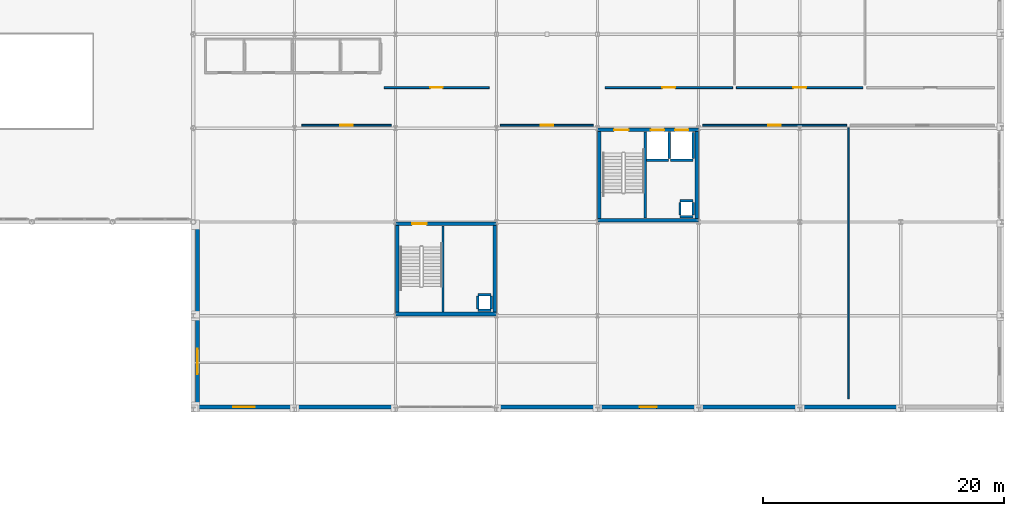
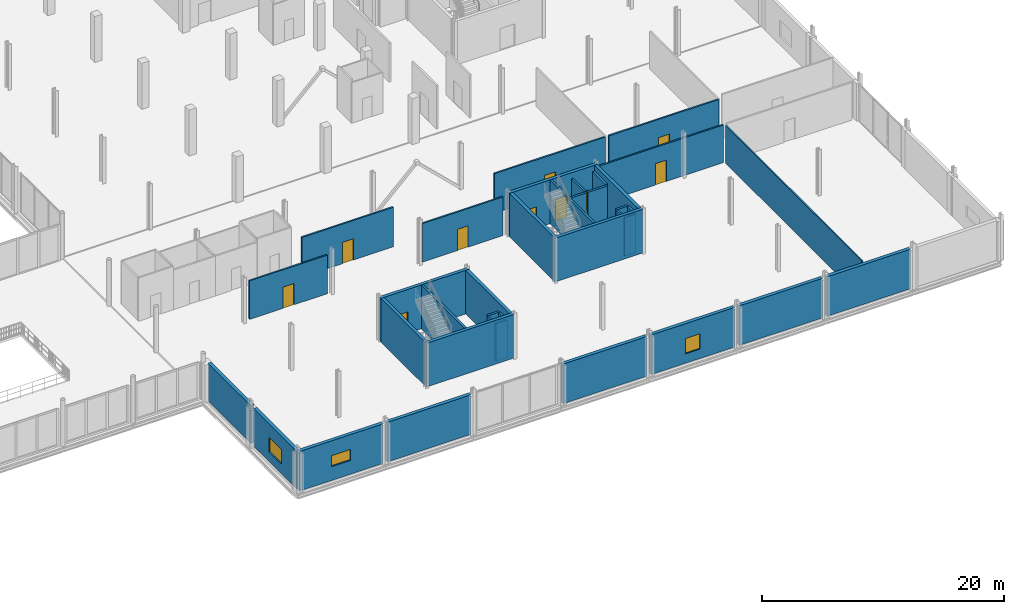
# One storey, part 72 of 98: 37 walls, 10 doors, 3 windows, 13 openings.
"""IFC4 building model written with IfcOpenShell, lengths in metres."""

from ifc_helpers import new_model, si_unit, direction, frame, frame_2d, origin, place, context, subcontext, project, spatial, rectangle, extrude, material, layer, layer_set, type_object, element, fill, save


model = new_model("IFC4")

# Units and contexts
model_context = context("Model", 3, precision=1e-05, world=origin(), true_north=direction((0.0, 1.0)))
body_context = subcontext(model_context, "Body", "Model", "MODEL_VIEW")
ifc_project = project(units=[si_unit("LENGTHUNIT", "METRE"), si_unit("AREAUNIT", "SQUARE_METRE"), si_unit("VOLUMEUNIT", "CUBIC_METRE"), si_unit("PLANEANGLEUNIT", "RADIAN"), si_unit("MASSUNIT", "GRAM", prefix="KILO")], contexts=[model_context])

# Site, building, storey
site_placement = place(None, origin())
site = spatial("IfcSite", under=ifc_project, at=site_placement, CompositionType="ELEMENT")
building_placement = place(site_placement, origin())
building = spatial("IfcBuilding", under=site, at=building_placement, Name="Nabrawat Pavilion Hospital", CompositionType="ELEMENT")
storey_placement = place(building_placement, frame((0.0, 0.0, 10.199951171875)))
storey = spatial("IfcBuildingStorey", under=building, at=storey_placement, Name="L02", CompositionType="ELEMENT", Elevation=10.199951171875)

# Wall, opening, door
ifc_material_1 = material(Name="Gypsum Fireboard on Steel Stud", Category="steel")
ifc_layer_1 = layer(ifc_material_1, 0.14990234375, Name="Gypsum Fireboard on Steel Stud")
ifc_layer_set_1 = layer_set([ifc_layer_1], Name="Gypsum Fireboard on Steel Stud")
wall_type_1 = type_object("IfcWallType", Name="Clinical Corridor Smoke-Barrier Wall 150", PredefinedType="PARTITIONING", material=ifc_layer_set_1)
wall_1_placement = place(storey_placement, frame((135.02001953125, 23.635009765625, 0.0), z_axis=(0.0, 0.0, 1.0), x_axis=(1.0, 0.0, 0.0)))
wall_1 = element("IfcWall", 1, at=wall_1_placement, inside=storey, type_object=wall_type_1, Name="L02 Outpatient Clinic Maxillofacial Dental Suite L02-01 Front Partition", PredefinedType="PARTITIONING", context=body_context, shape_type="SweptSolid", body=[
    extrude(rectangle(XDim=7.429931640625, YDim=0.14990234375, at=frame_2d((3.71484375, 0.0))), origin(), (0.0, 0.0, 1.0), 3.900146484375),
])
opening_1_placement = place(wall_1_placement, frame((3.18994140625, 0.0, 0.0)))
opening_1 = element("IfcOpeningElement", 2, at=opening_1_placement, cuts=wall_1, Name="Opening D-OPC-L", PredefinedType="OPENING", context=body_context, shape_type="SweptSolid", body=[
    extrude(rectangle(XDim=1.050048828125, YDim=2.14990234375, at=frame_2d((0.52490234375, 1.074951171875))), frame((0.0, 0.0849609375, 0.0), z_axis=(0.0, -1.0, 0.0), x_axis=(1.0, 0.0, 0.0)), (0.0, 0.0, 1.0), 0.169921875),
])
ifc_material_2 = material(Name="Stainless-Clad Acoustic Timber and Vision Glass", Category="wood")
door_type_1 = type_object("IfcDoorType", Name="Outpatient Clinic Consultation Door L 1050x2150", OperationType="NOTDEFINED", PredefinedType="DOOR", material=ifc_material_2)
door_1_placement = place(opening_1_placement, origin())
door_1 = element("IfcDoor", 3, at=door_1_placement, inside=storey, type_object=door_type_1, Name="Outpatient Clinic Maxillofacial Dental Suite L02-01 Door", OperationType="SINGLE_SWING_RIGHT", OverallHeight=2.14990234375, OverallWidth=1.050048828125, PredefinedType="DOOR", context=body_context, shape_type="SweptSolid", body=[
    extrude(rectangle(XDim=1.050048828125, YDim=2.14990234375, at=frame_2d((0.52490234375, 1.074951171875))), frame((0.0, 0.02490234375, 0.0), z_axis=(0.0, -1.0, 0.0), x_axis=(1.0, 0.0, 0.0)), (0.0, 0.0, 1.0), 0.050048828125),
])
fill(opening_1, door_1)

wall_2_placement = place(storey_placement, frame((151.52001953125, 23.635009765625, 0.0), z_axis=(0.0, 0.0, 1.0), x_axis=(1.0, 0.0, 0.0)))
wall_2 = element("IfcWall", 4, at=wall_2_placement, inside=storey, type_object=wall_type_1, Name="L02 Outpatient Clinic Rheumatology Room L02-02 Front Partition", PredefinedType="PARTITIONING", context=body_context, shape_type="SweptSolid", body=[
    extrude(rectangle(XDim=7.72998046875, YDim=0.14990234375, at=frame_2d((3.864990234375, 0.0))), origin(), (0.0, 0.0, 1.0), 3.900146484375),
])
opening_2_placement = place(wall_2_placement, frame((3.340087890625, 0.0, 0.0)))
opening_2 = element("IfcOpeningElement", 5, at=opening_2_placement, cuts=wall_2, Name="Opening D-OPC-R", PredefinedType="OPENING", context=body_context, shape_type="SweptSolid", body=[
    extrude(rectangle(XDim=1.050048828125, YDim=2.14990234375, at=frame_2d((0.52490234375, 1.074951171875))), frame((0.0, 0.0849609375, 0.0), z_axis=(0.0, -1.0, 0.0), x_axis=(1.0, 0.0, 0.0)), (0.0, 0.0, 1.0), 0.169921875),
])
door_type_2 = type_object("IfcDoorType", Name="Outpatient Clinic Consultation Door R 1050x2150", OperationType="NOTDEFINED", PredefinedType="DOOR", material=ifc_material_2)
door_2_placement = place(opening_2_placement, origin())
door_2 = element("IfcDoor", 6, at=door_2_placement, inside=storey, type_object=door_type_2, Name="Outpatient Clinic Rheumatology Room L02-02 Door", OperationType="SINGLE_SWING_LEFT", OverallHeight=2.14990234375, OverallWidth=1.050048828125, PredefinedType="DOOR", context=body_context, shape_type="SweptSolid", body=[
    extrude(rectangle(XDim=1.050048828125, YDim=2.14990234375, at=frame_2d((0.52490234375, 1.074951171875))), frame((0.0, 0.02490234375, 0.0), z_axis=(0.0, -1.0, 0.0), x_axis=(1.0, 0.0, 0.0)), (0.0, 0.0, 1.0), 0.050048828125),
])
fill(opening_2, door_2)

wall_3_placement = place(storey_placement, frame((168.320068359375, 23.635009765625, 0.0), z_axis=(0.0, 0.0, 1.0), x_axis=(1.0, 0.0, 0.0)))
wall_3 = element("IfcWall", 7, at=wall_3_placement, inside=storey, type_object=wall_type_1, Name="L02 Outpatient Clinic Endocrinology Diabetes Suite L02-03 Front Partition", PredefinedType="PARTITIONING", context=body_context, shape_type="SweptSolid", body=[
    extrude(rectangle(XDim=11.969970703125, YDim=0.14990234375, at=frame_2d((5.98486328125, 0.0))), origin(), (0.0, 0.0, 1.0), 3.800048828125),
])
opening_3_placement = place(wall_3_placement, frame((5.4599609375, 0.0, 0.0)))
opening_3 = element("IfcOpeningElement", 8, at=opening_3_placement, cuts=wall_3, Name="Opening D-OPC-L", PredefinedType="OPENING", context=body_context, shape_type="SweptSolid", body=[
    extrude(rectangle(XDim=1.050048828125, YDim=2.14990234375, at=frame_2d((0.52490234375, 1.074951171875))), frame((0.0, 0.0849609375, 0.0), z_axis=(0.0, -1.0, 0.0), x_axis=(1.0, 0.0, 0.0)), (0.0, 0.0, 1.0), 0.169921875),
])
door_3_placement = place(opening_3_placement, origin())
door_3 = element("IfcDoor", 9, at=door_3_placement, inside=storey, type_object=door_type_1, Name="Outpatient Clinic Endocrinology Diabetes Suite L02-03 Door", OperationType="SINGLE_SWING_RIGHT", OverallHeight=2.14990234375, OverallWidth=1.050048828125, PredefinedType="DOOR", context=body_context, shape_type="SweptSolid", body=[
    extrude(rectangle(XDim=1.050048828125, YDim=2.14990234375, at=frame_2d((0.52490234375, 1.074951171875))), frame((0.0, 0.02490234375, 0.0), z_axis=(0.0, -1.0, 0.0), x_axis=(1.0, 0.0, 0.0)), (0.0, 0.0, 1.0), 0.050048828125),
])
fill(opening_3, door_3)

wall_4_placement = place(storey_placement, frame((141.85009765625, 26.764892578125, 0.0), z_axis=(0.0, 0.0, 1.0), x_axis=(1.0, 0.0, 0.0)))
wall_4 = element("IfcWall", 10, at=wall_4_placement, inside=storey, type_object=wall_type_1, Name="L02 Clinical Nutrition Consultation Room L02-05 Front Partition", PredefinedType="PARTITIONING", context=body_context, shape_type="SweptSolid", body=[
    extrude(rectangle(XDim=8.72998046875, YDim=0.14990234375, at=frame_2d((4.364990234375, 0.0))), origin(), (0.0, 0.0, 1.0), 4.0),
])
opening_4_placement = place(wall_4_placement, frame((3.840087890625, 0.0, 0.0)))
opening_4 = element("IfcOpeningElement", 11, at=opening_4_placement, cuts=wall_4, Name="Opening D-OPC-L", PredefinedType="OPENING", context=body_context, shape_type="SweptSolid", body=[
    extrude(rectangle(XDim=1.050048828125, YDim=2.14990234375, at=frame_2d((0.52490234375, 1.074951171875))), frame((0.0, 0.0849609375, 0.0), z_axis=(0.0, -1.0, 0.0), x_axis=(1.0, 0.0, 0.0)), (0.0, 0.0, 1.0), 0.169921875),
])
door_4_placement = place(opening_4_placement, origin())
door_4 = element("IfcDoor", 12, at=door_4_placement, inside=storey, type_object=door_type_1, Name="Clinical Nutrition Consultation Room L02-05 Door", OperationType="SINGLE_SWING_RIGHT", OverallHeight=2.14990234375, OverallWidth=1.050048828125, PredefinedType="DOOR", context=body_context, shape_type="SweptSolid", body=[
    extrude(rectangle(XDim=1.050048828125, YDim=2.14990234375, at=frame_2d((0.52490234375, 1.074951171875))), frame((0.0, 0.02490234375, 0.0), z_axis=(0.0, -1.0, 0.0), x_axis=(1.0, 0.0, 0.0)), (0.0, 0.0, 1.0), 0.050048828125),
])
fill(opening_4, door_4)

wall_5_placement = place(storey_placement, frame((160.219970703125, 26.764892578125, 0.0), z_axis=(0.0, 0.0, 1.0), x_axis=(1.0, 0.0, 0.0)))
wall_5 = element("IfcWall", 13, at=wall_5_placement, inside=storey, type_object=wall_type_1, Name="L02 Outpatient Minor Procedure Room L02-06 Front Partition", PredefinedType="PARTITIONING", context=body_context, shape_type="SweptSolid", body=[
    extrude(rectangle(XDim=10.60009765625, YDim=0.14990234375, at=frame_2d((5.300048828125, 0.0))), origin(), (0.0, 0.0, 1.0), 4.0),
])
opening_5_placement = place(wall_5_placement, frame((4.77490234375, 0.0, 0.0)))
opening_5 = element("IfcOpeningElement", 14, at=opening_5_placement, cuts=wall_5, Name="Opening D-OPC-R", PredefinedType="OPENING", context=body_context, shape_type="SweptSolid", body=[
    extrude(rectangle(XDim=1.050048828125, YDim=2.14990234375, at=frame_2d((0.52490234375, 1.074951171875))), frame((0.0, 0.0849609375, 0.0), z_axis=(0.0, -1.0, 0.0), x_axis=(1.0, 0.0, 0.0)), (0.0, 0.0, 1.0), 0.169921875),
])
door_5_placement = place(opening_5_placement, origin())
door_5 = element("IfcDoor", 15, at=door_5_placement, inside=storey, type_object=door_type_2, Name="Outpatient Minor Procedure Room L02-06 Door", OperationType="SINGLE_SWING_LEFT", OverallHeight=2.14990234375, OverallWidth=1.050048828125, PredefinedType="DOOR", context=body_context, shape_type="SweptSolid", body=[
    extrude(rectangle(XDim=1.050048828125, YDim=2.14990234375, at=frame_2d((0.52490234375, 1.074951171875))), frame((0.0, 0.02490234375, 0.0), z_axis=(0.0, -1.0, 0.0), x_axis=(1.0, 0.0, 0.0)), (0.0, 0.0, 1.0), 0.050048828125),
])
fill(opening_5, door_5)

wall_6_placement = place(storey_placement, frame((171.139892578125, 26.764892578125, 0.0), z_axis=(0.0, 0.0, 1.0), x_axis=(1.0, 0.0, 0.0)))
wall_6 = element("IfcWall", 16, at=wall_6_placement, inside=storey, type_object=wall_type_1, Name="L02 Outpatient Clinic Maxillofacial Dental Suite L02-07 Front Partition", PredefinedType="PARTITIONING", context=body_context, shape_type="SweptSolid", body=[
    extrude(rectangle(XDim=10.52001953125, YDim=0.14990234375, at=frame_2d((5.260009765625, 0.0))), origin(), (0.0, 0.0, 1.0), 4.0),
])
opening_6_placement = place(wall_6_placement, frame((4.735107421875, 0.0, 0.0)))
opening_6 = element("IfcOpeningElement", 17, at=opening_6_placement, cuts=wall_6, Name="Opening D-OPC-L", PredefinedType="OPENING", context=body_context, shape_type="SweptSolid", body=[
    extrude(rectangle(XDim=1.050048828125, YDim=2.14990234375, at=frame_2d((0.52490234375, 1.074951171875))), frame((0.0, 0.0849609375, 0.0), z_axis=(0.0, -1.0, 0.0), x_axis=(1.0, 0.0, 0.0)), (0.0, 0.0, 1.0), 0.169921875),
])
door_6_placement = place(opening_6_placement, origin())
door_6 = element("IfcDoor", 18, at=door_6_placement, inside=storey, type_object=door_type_1, Name="Outpatient Clinic Maxillofacial Dental Suite L02-07 Door", OperationType="SINGLE_SWING_RIGHT", OverallHeight=2.14990234375, OverallWidth=1.050048828125, PredefinedType="DOOR", context=body_context, shape_type="SweptSolid", body=[
    extrude(rectangle(XDim=1.050048828125, YDim=2.14990234375, at=frame_2d((0.52490234375, 1.074951171875))), frame((0.0, 0.02490234375, 0.0), z_axis=(0.0, -1.0, 0.0), x_axis=(1.0, 0.0, 0.0)), (0.0, 0.0, 1.0), 0.050048828125),
])
fill(opening_6, door_6)

# Wall, opening, window
ifc_material_3 = material(Name="Precast concrete C40/50", Category="concrete")
ifc_layer_2 = layer(ifc_material_3, 0.320068359375, Name="Precast concrete C40/50")
ifc_layer_set_2 = layer_set([ifc_layer_2], Name="Precast concrete C40/50")
wall_type_2 = type_object("IfcWallType", Name="Deep-Reveal Precast Facade Wall 320", PredefinedType="SOLIDWALL", material=ifc_layer_set_2)
wall_7_placement = place(storey_placement, frame((126.340087890625, 0.43994140625, 0.0), z_axis=(0.0, 0.0, 1.0), x_axis=(0.0, 1.0, 0.0)))
wall_7 = element("IfcWall", 19, at=wall_7_placement, inside=storey, type_object=wall_type_2, Name="L02 Deep-Reveal Precast Facade Wall 320 269", PredefinedType="SOLIDWALL", context=body_context, shape_type="SweptSolid", body=[
    extrude(rectangle(XDim=7.130126953125, YDim=0.320068359375, at=frame_2d((3.56494140625, 0.0))), origin(), (0.0, 0.0, 1.0), 3.800048828125),
])
opening_7_placement = place(wall_7_placement, frame((2.514892578125, 0.0, 0.949951171875)))
opening_7 = element("IfcOpeningElement", 20, at=opening_7_placement, cuts=wall_7, Name="Opening WN-05", PredefinedType="OPENING", context=body_context, shape_type="SweptSolid", body=[
    extrude(rectangle(XDim=2.10009765625, YDim=1.5, at=frame_2d((1.050048828125, 0.75))), frame((0.0, 0.169921875, 0.0), z_axis=(0.0, -1.0, 0.0), x_axis=(1.0, 0.0, 0.0)), (0.0, 0.0, 1.0), 0.340087890625),
])
ifc_material_4 = material(Name="Thermally Broken Aluminium and Solar Glass", Category="aluminium")
window_type_1 = type_object("IfcWindowType", Name="Outpatient Double Window 2100x1500", PartitioningType="SINGLE_PANEL", PredefinedType="WINDOW", material=ifc_material_4)
window_1_placement = place(opening_7_placement, origin())
window_1 = element("IfcWindow", 21, at=window_1_placement, inside=storey, type_object=window_type_1, Name="L02 Outpatient Double Window 2100x1500 101", OverallHeight=1.5, OverallWidth=2.10009765625, PartitioningType="SINGLE_PANEL", PredefinedType="WINDOW", context=body_context, shape_type="SweptSolid", body=[
    extrude(rectangle(XDim=2.10009765625, YDim=1.5, at=frame_2d((1.050048828125, 0.75))), frame((0.0, 0.030029296875, 0.0), z_axis=(0.0, -1.0, 0.0), x_axis=(1.0, 0.0, 0.0)), (0.0, 0.0, 1.0), 0.06005859375),
])
fill(opening_7, window_1)

# Wall
wall_8_placement = place(storey_placement, frame((126.340087890625, 8.030029296875, 0.0), z_axis=(0.0, 0.0, 1.0), x_axis=(0.0, 1.0, 0.0)))
element("IfcWall", 22, at=wall_8_placement, inside=storey, type_object=wall_type_2, Name="L02 Deep-Reveal Precast Facade Wall 320 270", PredefinedType="SOLIDWALL", context=body_context, shape_type="SweptSolid", body=[
    extrude(rectangle(XDim=7.1298828125, YDim=0.320068359375, at=frame_2d((3.56494140625, 0.0))), origin(), (0.0, 0.0, 1.0), 3.800048828125),
])

# Wall, opening, window
wall_9_placement = place(storey_placement, frame((126.199951171875, 0.219970703125, 0.0), z_axis=(0.0, 0.0, 1.0), x_axis=(1.0, 0.0, 0.0)))
wall_9 = element("IfcWall", 23, at=wall_9_placement, inside=storey, type_object=wall_type_2, Name="L02 Deep-Reveal Precast Facade Wall 320 271", PredefinedType="SOLIDWALL", context=body_context, shape_type="SweptSolid", body=[
    extrude(rectangle(XDim=8.0, YDim=0.320068359375, at=frame_2d((4.0, 0.0))), origin(), (0.0, 0.0, 1.0), 4.0),
])
opening_8_placement = place(wall_9_placement, frame((3.10009765625, 0.0, 1.39990234375)))
opening_8 = element("IfcOpeningElement", 24, at=opening_8_placement, cuts=wall_9, Name="Opening WN-06", PredefinedType="OPENING", context=body_context, shape_type="SweptSolid", body=[
    extrude(rectangle(XDim=1.800048828125, YDim=1.10009765625, at=frame_2d((0.89990234375, 0.550048828125))), frame((0.0, 0.169921875, 0.0), z_axis=(0.0, -1.0, 0.0), x_axis=(1.0, 0.0, 0.0)), (0.0, 0.0, 1.0), 0.340087890625),
])
window_type_2 = type_object("IfcWindowType", Name="Emergency Cubicle Clerestory Window 1800x1100", PartitioningType="SINGLE_PANEL", PredefinedType="WINDOW", material=ifc_material_4)
window_2_placement = place(opening_8_placement, origin())
window_2 = element("IfcWindow", 25, at=window_2_placement, inside=storey, type_object=window_type_2, Name="L02 Emergency Cubicle Clerestory Window 1800x1100 102", OverallHeight=1.10009765625, OverallWidth=1.800048828125, PartitioningType="SINGLE_PANEL", PredefinedType="WINDOW", context=body_context, shape_type="SweptSolid", body=[
    extrude(rectangle(XDim=1.800048828125, YDim=1.10009765625, at=frame_2d((0.89990234375, 0.550048828125))), frame((0.0, 0.030029296875, 0.0), z_axis=(0.0, -1.0, 0.0), x_axis=(1.0, 0.0, 0.0)), (0.0, 0.0, 1.0), 0.06005859375),
])
fill(opening_8, window_2)

# Walls
for number, where, z_axis, x_axis, name in (
    (26, (134.60009765625, 0.219970703125, 0.0), (0.0, 0.0, 1.0), (1.0, 0.0, 0.0), "L02 Deep-Reveal Precast Facade Wall 320 272"),
    (27, (151.39990234375, 0.219970703125, 0.0), (0.0, 0.0, 1.0), (1.0, 0.0, 0.0), "L02 Deep-Reveal Precast Facade Wall 320 273"),
):
    element("IfcWall", number, at=place(storey_placement, frame(where, z_axis=z_axis, x_axis=x_axis)), inside=storey, type_object=wall_type_2, Name=name, PredefinedType="SOLIDWALL", context=body_context, shape_type="SweptSolid", body=[
        extrude(rectangle(XDim=8.0, YDim=0.320068359375, at=frame_2d((4.0, 0.0))), origin(), (0.0, 0.0, 1.0), 4.0),
    ])

# Wall, opening, window
wall_10_placement = place(storey_placement, frame((159.800048828125, 0.219970703125, 0.0), z_axis=(0.0, 0.0, 1.0), x_axis=(1.0, 0.0, 0.0)))
wall_10 = element("IfcWall", 28, at=wall_10_placement, inside=storey, type_object=wall_type_2, Name="L02 Deep-Reveal Precast Facade Wall 320 274", PredefinedType="SOLIDWALL", context=body_context, shape_type="SweptSolid", body=[
    extrude(rectangle(XDim=8.0, YDim=0.320068359375, at=frame_2d((4.0, 0.0))), origin(), (0.0, 0.0, 1.0), 4.0),
])
opening_9_placement = place(wall_10_placement, frame((3.300048828125, 0.0, 0.949951171875)))
opening_9 = element("IfcOpeningElement", 29, at=opening_9_placement, cuts=wall_10, Name="Opening WN-07", PredefinedType="OPENING", context=body_context, shape_type="SweptSolid", body=[
    extrude(rectangle(XDim=1.39990234375, YDim=1.550048828125, at=frame_2d((0.699951171875, 0.77490234375))), frame((0.0, 0.169921875, 0.0), z_axis=(0.0, -1.0, 0.0), x_axis=(1.0, 0.0, 0.0)), (0.0, 0.0, 1.0), 0.340087890625),
])
window_type_3 = type_object("IfcWindowType", Name="Emergency Staff Daylight Window 1400x1550", PartitioningType="SINGLE_PANEL", PredefinedType="WINDOW", material=ifc_material_4)
window_3_placement = place(opening_9_placement, origin())
window_3 = element("IfcWindow", 30, at=window_3_placement, inside=storey, type_object=window_type_3, Name="L02 Emergency Staff Daylight Window 1400x1550 103", OverallHeight=1.550048828125, OverallWidth=1.39990234375, PartitioningType="SINGLE_PANEL", PredefinedType="WINDOW", context=body_context, shape_type="SweptSolid", body=[
    extrude(rectangle(XDim=1.39990234375, YDim=1.550048828125, at=frame_2d((0.699951171875, 0.77490234375))), frame((0.0, 0.030029296875, 0.0), z_axis=(0.0, -1.0, 0.0), x_axis=(1.0, 0.0, 0.0)), (0.0, 0.0, 1.0), 0.06005859375),
])
fill(opening_9, window_3)

# Walls
for number, where, z_axis, x_axis, name in (
    (31, (168.199951171875, 0.219970703125, 0.0), (0.0, 0.0, 1.0), (1.0, 0.0, 0.0), "L02 Deep-Reveal Precast Facade Wall 320 275"),
    (32, (176.60009765625, 0.219970703125, 0.0), (0.0, 0.0, 1.0), (1.0, 0.0, 0.0), "L02 Deep-Reveal Precast Facade Wall 320 276"),
):
    element("IfcWall", number, at=place(storey_placement, frame(where, z_axis=z_axis, x_axis=x_axis)), inside=storey, type_object=wall_type_2, Name=name, PredefinedType="SOLIDWALL", context=body_context, shape_type="SweptSolid", body=[
        extrude(rectangle(XDim=8.0, YDim=0.320068359375, at=frame_2d((4.0, 0.0))), origin(), (0.0, 0.0, 1.0), 4.0),
    ])
ifc_material_5 = material(Name="Concrete C35/45", Category="concrete")
ifc_layer_3 = layer(ifc_material_5, 0.199951171875, Name="Concrete C35/45")
ifc_layer_set_3 = layer_set([ifc_layer_3], Name="Concrete C35/45")
wall_type_3 = type_object("IfcWallType", Name="Lift and Riser Fire Shaft Wall 200", PredefinedType="PARTITIONING", material=ifc_layer_set_3)
wall_11_placement = place(storey_placement, frame((163.550048828125, 15.919921875, 0.0), z_axis=(0.0, 0.0, 1.0), x_axis=(0.0, 1.0, 0.0)))
element("IfcWall", 33, at=wall_11_placement, inside=storey, type_object=wall_type_3, Name="L02 CORE-4 Stair-Lift Dividing Shear Wall", PredefinedType="SHEAR", context=body_context, shape_type="SweptSolid", body=[
    extrude(rectangle(XDim=7.16015625, YDim=0.199951171875, at=frame_2d((3.580078125, 0.0))), origin(), (0.0, 0.0, 1.0), 4.420166015625),
])
for number, where, z_axis, x_axis, name in (
    (34, (166.449951171875, 16.050048828125, 0.0), (0.0, 0.0, 1.0), (1.0, 0.0, 0.0), "L02 CORE-4 MEP Riser Shaft Wall S"),
    (35, (166.449951171875, 17.35009765625, 0.0), (0.0, 0.0, 1.0), (1.0, 0.0, 0.0), "L02 CORE-4 MEP Riser Shaft Wall N"),
):
    element("IfcWall", number, at=place(storey_placement, frame(where, z_axis=z_axis, x_axis=x_axis)), inside=storey, type_object=wall_type_3, Name=name, PredefinedType="PARTITIONING", context=body_context, shape_type="SweptSolid", body=[
        extrude(rectangle(XDim=1.10009765625, YDim=0.199951171875, at=frame_2d((0.550048828125, 0.0))), origin(), (0.0, 0.0, 1.0), 3.900146484375),
    ])
for number, where, z_axis, x_axis, name in (
    (36, (166.449951171875, 16.169921875, 0.0), (0.0, 0.0, 1.0), (0.0, 1.0, 0.0), "L02 CORE-4 MEP Riser Shaft Wall W"),
    (37, (167.550048828125, 16.169921875, 0.0), (0.0, 0.0, 1.0), (0.0, 1.0, 0.0), "L02 CORE-4 MEP Riser Shaft Wall E"),
):
    element("IfcWall", number, at=place(storey_placement, frame(where, z_axis=z_axis, x_axis=x_axis)), inside=storey, type_object=wall_type_3, Name=name, PredefinedType="PARTITIONING", context=body_context, shape_type="SweptSolid", body=[
        extrude(rectangle(XDim=1.06005859375, YDim=0.199951171875, at=frame_2d((0.530029296875, 0.0))), origin(), (0.0, 0.0, 1.0), 3.900146484375),
    ])
wall_12_placement = place(storey_placement, frame((165.5400390625, 20.8798828125, 0.0), z_axis=(0.0, 0.0, 1.0), x_axis=(0.0, 1.0, 0.0)))
element("IfcWall", 38, at=wall_12_placement, inside=storey, type_object=wall_type_3, Name="L02 Lift LP-03 Shaft East Wall", PredefinedType="PARTITIONING", context=body_context, shape_type="SweptSolid", body=[
    extrude(rectangle(XDim=2.14013671875, YDim=0.199951171875, at=frame_2d((1.070068359375, 0.0))), origin(), (0.0, 0.0, 1.0), 3.900146484375),
])
wall_13_placement = place(storey_placement, frame((163.64990234375, 20.719970703125, 0.0), z_axis=(0.0, 0.0, 1.0), x_axis=(1.0, 0.0, 0.0)))
element("IfcWall", 39, at=wall_13_placement, inside=storey, type_object=wall_type_3, Name="L02 Lift LP-03 Shaft Back Wall", PredefinedType="PARTITIONING", context=body_context, shape_type="SweptSolid", body=[
    extrude(rectangle(XDim=1.860107421875, YDim=0.199951171875, at=frame_2d((0.93017578125, 0.0))), origin(), (0.0, 0.0, 1.0), 3.900146484375),
])
wall_14_placement = place(storey_placement, frame((167.56005859375, 20.8798828125, 0.0), z_axis=(0.0, 0.0, 1.0), x_axis=(0.0, 1.0, 0.0)))
element("IfcWall", 40, at=wall_14_placement, inside=storey, type_object=wall_type_3, Name="L02 Lift LP-04 Shaft East Wall", PredefinedType="PARTITIONING", context=body_context, shape_type="SweptSolid", body=[
    extrude(rectangle(XDim=2.14013671875, YDim=0.199951171875, at=frame_2d((1.070068359375, 0.0))), origin(), (0.0, 0.0, 1.0), 3.900146484375),
])
wall_15_placement = place(storey_placement, frame((165.669921875, 20.719970703125, 0.0), z_axis=(0.0, 0.0, 1.0), x_axis=(1.0, 0.0, 0.0)))
element("IfcWall", 41, at=wall_15_placement, inside=storey, type_object=wall_type_3, Name="L02 Lift LP-04 Shaft Back Wall", PredefinedType="PARTITIONING", context=body_context, shape_type="SweptSolid", body=[
    extrude(rectangle(XDim=1.860107421875, YDim=0.199951171875, at=frame_2d((0.93017578125, 0.0))), origin(), (0.0, 0.0, 1.0), 3.900146484375),
])
wall_16_placement = place(storey_placement, frame((146.75, 8.1201171875, 0.0), z_axis=(0.0, 0.0, 1.0), x_axis=(0.0, 1.0, 0.0)))
element("IfcWall", 42, at=wall_16_placement, inside=storey, type_object=wall_type_3, Name="L02 CORE-8 Stair-Lift Dividing Shear Wall", PredefinedType="SHEAR", context=body_context, shape_type="SweptSolid", body=[
    extrude(rectangle(XDim=7.159912109375, YDim=0.199951171875, at=frame_2d((3.580078125, 0.0))), origin(), (0.0, 0.0, 1.0), 4.420166015625),
])
for number, where, z_axis, x_axis, name in (
    (43, (149.64990234375, 8.25, 0.0), (0.0, 0.0, 1.0), (1.0, 0.0, 0.0), "L02 CORE-8 MEP Riser Shaft Wall S"),
    (44, (149.64990234375, 9.550048828125, 0.0), (0.0, 0.0, 1.0), (1.0, 0.0, 0.0), "L02 CORE-8 MEP Riser Shaft Wall N"),
):
    element("IfcWall", number, at=place(storey_placement, frame(where, z_axis=z_axis, x_axis=x_axis)), inside=storey, type_object=wall_type_3, Name=name, PredefinedType="PARTITIONING", context=body_context, shape_type="SweptSolid", body=[
        extrude(rectangle(XDim=1.10009765625, YDim=0.199951171875, at=frame_2d((0.550048828125, 0.0))), origin(), (0.0, 0.0, 1.0), 3.800048828125),
    ])
for number, where, z_axis, x_axis, name in (
    (45, (149.64990234375, 8.3701171875, 0.0), (0.0, 0.0, 1.0), (0.0, 1.0, 0.0), "L02 CORE-8 MEP Riser Shaft Wall W"),
    (46, (150.75, 8.3701171875, 0.0), (0.0, 0.0, 1.0), (0.0, 1.0, 0.0), "L02 CORE-8 MEP Riser Shaft Wall E"),
):
    element("IfcWall", number, at=place(storey_placement, frame(where, z_axis=z_axis, x_axis=x_axis)), inside=storey, type_object=wall_type_3, Name=name, PredefinedType="PARTITIONING", context=body_context, shape_type="SweptSolid", body=[
        extrude(rectangle(XDim=1.059814453125, YDim=0.199951171875, at=frame_2d((0.52978515625, 0.0))), origin(), (0.0, 0.0, 1.0), 3.800048828125),
    ])
ifc_material_6 = material(Name="Gypsum Plasterboard on Stud", Category="gypsum")
ifc_layer_4 = layer(ifc_material_6, 0.1201171875, Name="Gypsum Plasterboard on Stud")
ifc_layer_set_4 = layer_set([ifc_layer_4], Name="Gypsum Plasterboard on Stud")
wall_type_4 = type_object("IfcWallType", Name="Outpatient Consultation Partition 120", PredefinedType="PARTITIONING", material=ifc_layer_set_4)
wall_17_placement = place(storey_placement, frame((180.449951171875, 0.889892578125, 0.0), z_axis=(0.0, 0.0, 1.0), x_axis=(0.0, 1.0, 0.0)))
element("IfcWall", 47, at=wall_17_placement, inside=storey, type_object=wall_type_4, Name="L02 Outpatient Clinic Endocrinology Diabetes Suite L02-03 Dividing Partition", PredefinedType="PARTITIONING", context=body_context, shape_type="SweptSolid", body=[
    extrude(rectangle(XDim=22.525146484375, YDim=0.1201171875, at=frame_2d((11.2626953125, 0.0))), origin(), (0.0, 0.0, 1.0), 3.800048828125),
])
ifc_material_7 = material(Name="Concrete C40/50", Category="concrete")
ifc_layer_5 = layer(ifc_material_7, 0.300048828125, Name="Concrete C40/50")
ifc_layer_set_5 = layer_set([ifc_layer_5], Name="Concrete C40/50")
wall_type_5 = type_object("IfcWallType", Name="Reinforced Concrete Core Shear Wall 300", PredefinedType="SHEAR", material=ifc_layer_set_5)
wall_18_placement = place(storey_placement, frame((159.60009765625, 15.75, 0.0), z_axis=(0.0, 0.0, 1.0), x_axis=(1.0, 0.0, 0.0)))
element("IfcWall", 48, at=wall_18_placement, inside=storey, type_object=wall_type_5, Name="L02 CORE-4 South Core Shear Wall", PredefinedType="SHEAR", context=body_context, shape_type="SweptSolid", body=[
    extrude(rectangle(XDim=8.39990234375, YDim=0.300048828125, at=frame_2d((4.199951171875, 0.0))), origin(), (0.0, 0.0, 1.0), 4.420166015625),
])

# Wall, openings, doors
wall_19_placement = place(storey_placement, frame((159.60009765625, 23.25, 0.0), z_axis=(0.0, 0.0, 1.0), x_axis=(1.0, 0.0, 0.0)))
wall_19 = element("IfcWall", 49, at=wall_19_placement, inside=storey, type_object=wall_type_5, Name="L02 CORE-4 North Core Shear Wall", PredefinedType="SHEAR", context=body_context, shape_type="SweptSolid", body=[
    extrude(rectangle(XDim=8.39990234375, YDim=0.300048828125, at=frame_2d((4.199951171875, 0.0))), origin(), (0.0, 0.0, 1.0), 4.420166015625),
])
opening_10_placement = place(wall_19_placement, frame((1.3798828125, 0.0, 0.0)))
opening_10 = element("IfcOpeningElement", 50, at=opening_10_placement, cuts=wall_19, Name="Opening D-STAIR", PredefinedType="OPENING", context=body_context, shape_type="SweptSolid", body=[
    extrude(rectangle(XDim=1.199951171875, YDim=2.14990234375, at=frame_2d((0.60009765625, 1.074951171875))), frame((0.0, 0.16015625, 0.0), z_axis=(0.0, -1.0, 0.0), x_axis=(1.0, 0.0, 0.0)), (0.0, 0.0, 1.0), 0.320068359375),
])
opening_11_placement = place(wall_19_placement, frame((4.429931640625, 0.0, 0.0)))
opening_11 = element("IfcOpeningElement", 51, at=opening_11_placement, cuts=wall_19, Name="Opening LD-LP-03", PredefinedType="OPENING", context=body_context, shape_type="SweptSolid", body=[
    extrude(rectangle(XDim=1.10009765625, YDim=2.14990234375, at=frame_2d((0.550048828125, 1.074951171875))), frame((0.0, 0.16015625, 0.0), z_axis=(0.0, -1.0, 0.0), x_axis=(1.0, 0.0, 0.0)), (0.0, 0.0, 1.0), 0.320068359375),
])
opening_12_placement = place(wall_19_placement, frame((6.449951171875, 0.0, 0.0)))
opening_12 = element("IfcOpeningElement", 52, at=opening_12_placement, cuts=wall_19, Name="Opening LD-LP-04", PredefinedType="OPENING", context=body_context, shape_type="SweptSolid", body=[
    extrude(rectangle(XDim=1.10009765625, YDim=2.14990234375, at=frame_2d((0.550048828125, 1.074951171875))), frame((0.0, 0.16015625, 0.0), z_axis=(0.0, -1.0, 0.0), x_axis=(1.0, 0.0, 0.0)), (0.0, 0.0, 1.0), 0.320068359375),
])
door_type_3 = type_object("IfcDoorType", Name="D-STAIR Exit Stair Fire Door 1200x2150", OperationType="NOTDEFINED", PredefinedType="DOOR", material=ifc_material_2)
door_7_placement = place(opening_10_placement, origin())
door_7 = element("IfcDoor", 53, at=door_7_placement, inside=storey, type_object=door_type_3, Name="L02 ST-04 Fire Exit Stair Door", OperationType="SINGLE_SWING_RIGHT", OverallHeight=2.14990234375, OverallWidth=1.199951171875, PredefinedType="DOOR", context=body_context, shape_type="SweptSolid", body=[
    extrude(rectangle(XDim=1.199951171875, YDim=2.14990234375, at=frame_2d((0.60009765625, 1.074951171875))), frame((0.0, 0.02490234375, 0.0), z_axis=(0.0, -1.0, 0.0), x_axis=(1.0, 0.0, 0.0)), (0.0, 0.0, 1.0), 0.050048828125),
])
fill(opening_10, door_7)
door_type_4 = type_object("IfcDoorType", Name="Passenger Lift Sliding Landing Door 1100x2150", OperationType="DOUBLE_DOOR_SLIDING", PredefinedType="DOOR", material=ifc_material_2)
door_8_placement = place(opening_11_placement, origin())
door_8 = element("IfcDoor", 54, at=door_8_placement, inside=storey, type_object=door_type_4, Name="L02 Lift LP-03 Sliding Landing Door", OperationType="DOUBLE_DOOR_SLIDING", OverallHeight=2.14990234375, OverallWidth=1.10009765625, PredefinedType="DOOR", context=body_context, shape_type="SweptSolid", body=[
    extrude(rectangle(XDim=1.10009765625, YDim=2.14990234375, at=frame_2d((0.550048828125, 1.074951171875))), frame((0.0, 0.02490234375, 0.0), z_axis=(0.0, -1.0, 0.0), x_axis=(1.0, 0.0, 0.0)), (0.0, 0.0, 1.0), 0.050048828125),
])
fill(opening_11, door_8)
door_9_placement = place(opening_12_placement, origin())
door_9 = element("IfcDoor", 55, at=door_9_placement, inside=storey, type_object=door_type_4, Name="L02 Lift LP-04 Sliding Landing Door", OperationType="DOUBLE_DOOR_SLIDING", OverallHeight=2.14990234375, OverallWidth=1.10009765625, PredefinedType="DOOR", context=body_context, shape_type="SweptSolid", body=[
    extrude(rectangle(XDim=1.10009765625, YDim=2.14990234375, at=frame_2d((0.550048828125, 1.074951171875))), frame((0.0, 0.02490234375, 0.0), z_axis=(0.0, -1.0, 0.0), x_axis=(1.0, 0.0, 0.0)), (0.0, 0.0, 1.0), 0.050048828125),
])
fill(opening_12, door_9)

# Walls
for number, where, z_axis, x_axis, name in (
    (56, (159.75, 15.89990234375, 0.0), (0.0, 0.0, 1.0), (0.0, 1.0, 0.0), "L02 CORE-4 West Core Shear Wall"),
    (57, (167.85009765625, 15.89990234375, 0.0), (0.0, 0.0, 1.0), (0.0, 1.0, 0.0), "L02 CORE-4 East Core Shear Wall"),
):
    element("IfcWall", number, at=place(storey_placement, frame(where, z_axis=z_axis, x_axis=x_axis)), inside=storey, type_object=wall_type_5, Name=name, PredefinedType="SHEAR", context=body_context, shape_type="SweptSolid", body=[
        extrude(rectangle(XDim=7.2001953125, YDim=0.300048828125, at=frame_2d((3.60009765625, 0.0))), origin(), (0.0, 0.0, 1.0), 4.420166015625),
    ])
wall_20_placement = place(storey_placement, frame((142.800048828125, 7.949951171875, 0.0), z_axis=(0.0, 0.0, 1.0), x_axis=(1.0, 0.0, 0.0)))
element("IfcWall", 58, at=wall_20_placement, inside=storey, type_object=wall_type_5, Name="L02 CORE-8 South Core Shear Wall", PredefinedType="SHEAR", context=body_context, shape_type="SweptSolid", body=[
    extrude(rectangle(XDim=8.39990234375, YDim=0.300048828125, at=frame_2d((4.199951171875, 0.0))), origin(), (0.0, 0.0, 1.0), 4.420166015625),
])

# Wall, opening, door
wall_21_placement = place(storey_placement, frame((142.800048828125, 15.449951171875, 0.0), z_axis=(0.0, 0.0, 1.0), x_axis=(1.0, 0.0, 0.0)))
wall_21 = element("IfcWall", 59, at=wall_21_placement, inside=storey, type_object=wall_type_5, Name="L02 CORE-8 North Core Shear Wall", PredefinedType="SHEAR", context=body_context, shape_type="SweptSolid", body=[
    extrude(rectangle(XDim=8.39990234375, YDim=0.300048828125, at=frame_2d((4.199951171875, 0.0))), origin(), (0.0, 0.0, 1.0), 4.420166015625),
])
opening_13_placement = place(wall_21_placement, frame((1.3798828125, 0.0, 0.0)))
opening_13 = element("IfcOpeningElement", 60, at=opening_13_placement, cuts=wall_21, Name="Opening D-STAIR", PredefinedType="OPENING", context=body_context, shape_type="SweptSolid", body=[
    extrude(rectangle(XDim=1.199951171875, YDim=2.14990234375, at=frame_2d((0.60009765625, 1.074951171875))), frame((0.0, 0.16015625, 0.0), z_axis=(0.0, -1.0, 0.0), x_axis=(1.0, 0.0, 0.0)), (0.0, 0.0, 1.0), 0.320068359375),
])
door_10_placement = place(opening_13_placement, origin())
door_10 = element("IfcDoor", 61, at=door_10_placement, inside=storey, type_object=door_type_3, Name="L02 ST-08 Fire Exit Stair Door", OperationType="SINGLE_SWING_LEFT", OverallHeight=2.14990234375, OverallWidth=1.199951171875, PredefinedType="DOOR", context=body_context, shape_type="SweptSolid", body=[
    extrude(rectangle(XDim=1.199951171875, YDim=2.14990234375, at=frame_2d((0.60009765625, 1.074951171875))), frame((0.0, 0.02490234375, 0.0), z_axis=(0.0, -1.0, 0.0), x_axis=(1.0, 0.0, 0.0)), (0.0, 0.0, 1.0), 0.050048828125),
])
fill(opening_13, door_10)

# Walls
for number, where, z_axis, x_axis, name in (
    (62, (142.949951171875, 8.10009765625, 0.0), (0.0, 0.0, 1.0), (0.0, 1.0, 0.0), "L02 CORE-8 West Core Shear Wall"),
    (63, (151.050048828125, 8.10009765625, 0.0), (0.0, 0.0, 1.0), (0.0, 1.0, 0.0), "L02 CORE-8 East Core Shear Wall"),
):
    element("IfcWall", number, at=place(storey_placement, frame(where, z_axis=z_axis, x_axis=x_axis)), inside=storey, type_object=wall_type_5, Name=name, PredefinedType="SHEAR", context=body_context, shape_type="SweptSolid", body=[
        extrude(rectangle(XDim=7.199951171875, YDim=0.300048828125, at=frame_2d((3.60009765625, 0.0))), origin(), (0.0, 0.0, 1.0), 4.420166015625),
    ])

save(model, "model.ifc")
